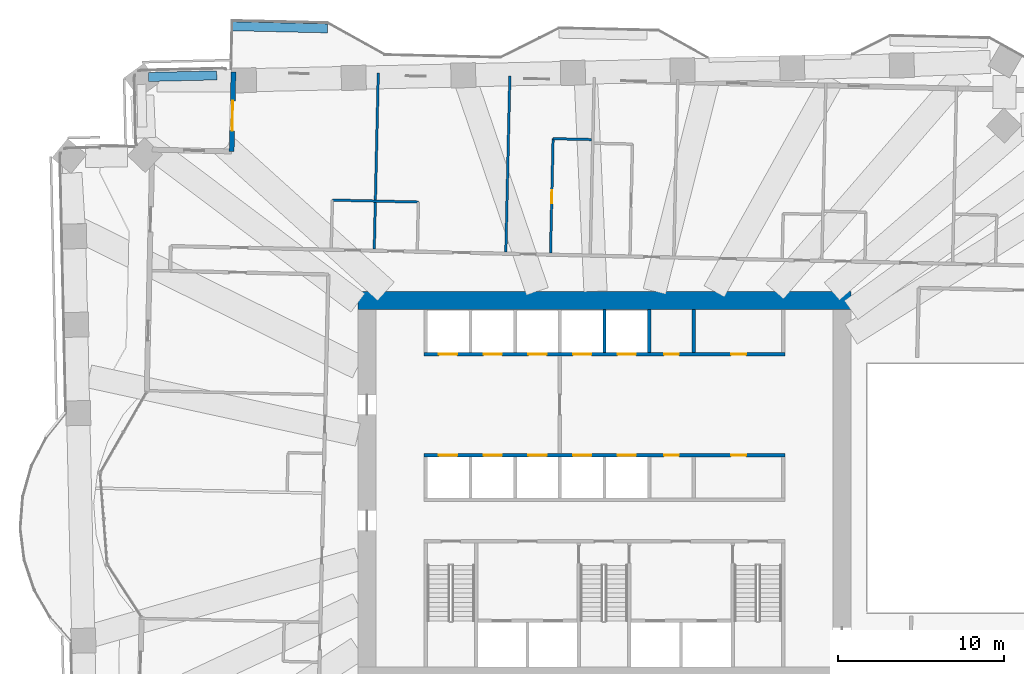
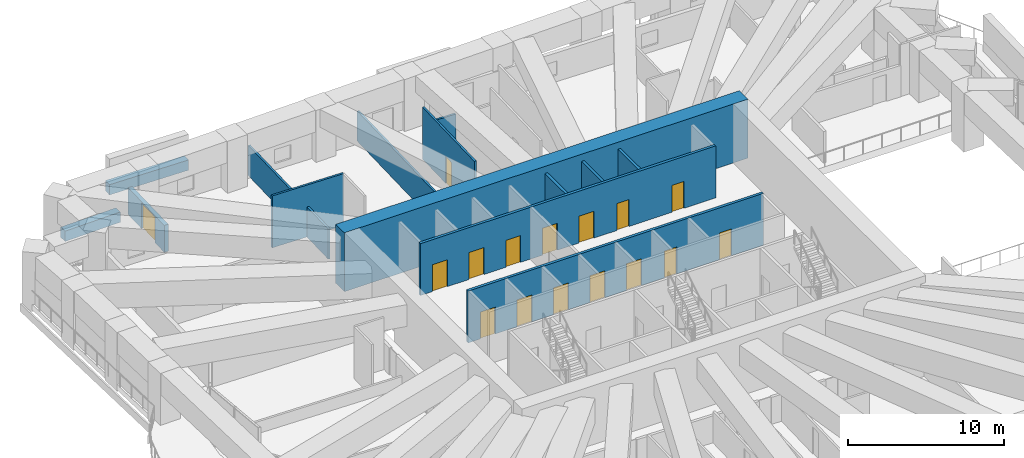
# One storey, part 12 of 20: 16 doors, 14 walls, 16 openings.
"""IFC4 building model written with IfcOpenShell, lengths in metres."""

from ifc_helpers import new_model, si_unit, direction, frame, frame_2d, origin, place, context, subcontext, project, spatial, rectangle, extrude, material, layer, layer_set, type_object, element, fill, save


model = new_model("IFC4")

# Units and contexts
model_context = context("Model", 3, precision=1e-05, world=origin(), true_north=direction((0.0, 1.0)))
body_context = subcontext(model_context, "Body", "Model", "MODEL_VIEW")
ifc_project = project(units=[si_unit("LENGTHUNIT", "METRE"), si_unit("AREAUNIT", "SQUARE_METRE"), si_unit("VOLUMEUNIT", "CUBIC_METRE"), si_unit("PLANEANGLEUNIT", "RADIAN"), si_unit("MASSUNIT", "GRAM", prefix="KILO")], contexts=[model_context])

# Site, building, storey
site_placement = place(None, origin())
site = spatial("IfcSite", under=ifc_project, at=site_placement, CompositionType="ELEMENT")
building_placement = place(site_placement, origin())
building = spatial("IfcBuilding", under=site, at=building_placement, Name="Mangrove Gate Tower", CompositionType="ELEMENT")
storey_placement = place(building_placement, frame((0.0, 0.0, 52.10009765625)))
storey = spatial("IfcBuildingStorey", under=building, at=storey_placement, Name="L12", CompositionType="ELEMENT", Elevation=52.10009765625)

# Wall
ifc_material_1 = material(Name="Concrete C32/40", Category="concrete")
ifc_layer_1 = layer(ifc_material_1, 0.199951171875)
ifc_layer_set_1 = layer_set([ifc_layer_1], Name="Core room wall 200 C32/40")
wall_type_1 = type_object("IfcWallType", Name="Core room wall 200 C32/40", PredefinedType="STANDARD", material=ifc_layer_set_1)
wall_1_placement = place(storey_placement, frame((5.39990234375, 8.199951171875, 0.0), z_axis=(0.0, 0.0, 1.0), x_axis=(0.0, 1.0, 0.0)))
element("IfcWall", 1, at=wall_1_placement, inside=storey, type_object=wall_type_1, Name="WALL-L12-CORE-33", PredefinedType="STANDARD", context=body_context, shape_type="SweptSolid", body=[
    extrude(rectangle(XDim=2.60009765625, YDim=0.199951171875, at=frame_2d((1.300048828125, 0.0))), origin(), (0.0, 0.0, 1.0), 4.0498046875),
])

# Wall, openings, doors
ifc_material_2 = material(Name="Concrete C70/85", Category="concrete")
ifc_layer_2 = layer(ifc_material_2, 0.199951171875)
ifc_layer_set_2 = layer_set([ifc_layer_2], Name="Core shaft wall 200 C70/85")
wall_type_2 = type_object("IfcWallType", Name="Core shaft wall 200 C70/85", PredefinedType="SHEAR", material=ifc_layer_set_2)
wall_2_placement = place(storey_placement, frame((-10.89990234375, 2.0, 0.0), z_axis=(0.0, 0.0, 1.0), x_axis=(1.0, 0.0, 0.0)))
wall_2 = element("IfcWall", 2, at=wall_2_placement, inside=storey, type_object=wall_type_2, Name="WALL-L12-CORE-7", PredefinedType="SHEAR", context=body_context, shape_type="SweptSolid", body=[
    extrude(rectangle(XDim=21.7998046875, YDim=0.199951171875, at=frame_2d((10.89990234375, 0.0))), origin(), (0.0, 0.0, 1.0), 4.0498046875),
])
opening_1_placement = place(wall_2_placement, frame((0.89990234375, 0.0, 0.0)))
opening_1 = element("IfcOpeningElement", 3, at=opening_1_placement, cuts=wall_2, Name="Opening LD", PredefinedType="OPENING", context=body_context, shape_type="SweptSolid", body=[
    extrude(rectangle(XDim=1.10009765625, YDim=2.10009765625, at=frame_2d((0.550048828125, 1.050048828125))), frame((0.0, 0.10986328125, 0.0), z_axis=(0.0, -1.0, 0.0), x_axis=(1.0, 0.0, 0.0)), (0.0, 0.0, 1.0), 0.219970703125),
])
opening_2_placement = place(wall_2_placement, frame((3.60009765625, 0.0, 0.0)))
opening_2 = element("IfcOpeningElement", 4, at=opening_2_placement, cuts=wall_2, Name="Opening LD", PredefinedType="OPENING", context=body_context, shape_type="SweptSolid", body=[
    extrude(rectangle(XDim=1.10009765625, YDim=2.10009765625, at=frame_2d((0.550048828125, 1.050048828125))), frame((0.0, 0.10986328125, 0.0), z_axis=(0.0, -1.0, 0.0), x_axis=(1.0, 0.0, 0.0)), (0.0, 0.0, 1.0), 0.219970703125),
])
opening_3_placement = place(wall_2_placement, frame((6.300048828125, 0.0, 0.0)))
opening_3 = element("IfcOpeningElement", 5, at=opening_3_placement, cuts=wall_2, Name="Opening LD", PredefinedType="OPENING", context=body_context, shape_type="SweptSolid", body=[
    extrude(rectangle(XDim=1.10009765625, YDim=2.10009765625, at=frame_2d((0.550048828125, 1.050048828125))), frame((0.0, 0.10986328125, 0.0), z_axis=(0.0, -1.0, 0.0), x_axis=(1.0, 0.0, 0.0)), (0.0, 0.0, 1.0), 0.219970703125),
])
opening_4_placement = place(wall_2_placement, frame((9.0, 0.0, 0.0)))
opening_4 = element("IfcOpeningElement", 6, at=opening_4_placement, cuts=wall_2, Name="Opening LD", PredefinedType="OPENING", context=body_context, shape_type="SweptSolid", body=[
    extrude(rectangle(XDim=1.10009765625, YDim=2.10009765625, at=frame_2d((0.550048828125, 1.050048828125))), frame((0.0, 0.10986328125, 0.0), z_axis=(0.0, -1.0, 0.0), x_axis=(1.0, 0.0, 0.0)), (0.0, 0.0, 1.0), 0.219970703125),
])
opening_5_placement = place(wall_2_placement, frame((11.699951171875, 0.0, 0.0)))
opening_5 = element("IfcOpeningElement", 7, at=opening_5_placement, cuts=wall_2, Name="Opening LD", PredefinedType="OPENING", context=body_context, shape_type="SweptSolid", body=[
    extrude(rectangle(XDim=1.10009765625, YDim=2.10009765625, at=frame_2d((0.550048828125, 1.050048828125))), frame((0.0, 0.10986328125, 0.0), z_axis=(0.0, -1.0, 0.0), x_axis=(1.0, 0.0, 0.0)), (0.0, 0.0, 1.0), 0.219970703125),
])
opening_6_placement = place(wall_2_placement, frame((14.5, 0.0, 0.0)))
opening_6 = element("IfcOpeningElement", 8, at=opening_6_placement, cuts=wall_2, Name="Opening RD", PredefinedType="OPENING", context=body_context, shape_type="SweptSolid", body=[
    extrude(rectangle(XDim=0.89990234375, YDim=2.10009765625, at=frame_2d((0.449951171875, 1.050048828125))), frame((0.0, 0.10986328125, 0.0), z_axis=(0.0, -1.0, 0.0), x_axis=(1.0, 0.0, 0.0)), (0.0, 0.0, 1.0), 0.219970703125),
])
opening_7_placement = place(wall_2_placement, frame((18.550048828125, 0.0, 0.0)))
opening_7 = element("IfcOpeningElement", 9, at=opening_7_placement, cuts=wall_2, Name="Opening KD", PredefinedType="OPENING", context=body_context, shape_type="SweptSolid", body=[
    extrude(rectangle(XDim=0.89990234375, YDim=2.10009765625, at=frame_2d((0.449951171875, 1.050048828125))), frame((0.0, 0.10986328125, 0.0), z_axis=(0.0, -1.0, 0.0), x_axis=(1.0, 0.0, 0.0)), (0.0, 0.0, 1.0), 0.219970703125),
])
ifc_material_3 = material(Name="Fire-rated steel door set", Category="steel")
door_type_1 = type_object("IfcDoorType", Name="Core room door FD30S 900x2100", OperationType="SINGLE_SWING_RIGHT", PredefinedType="DOOR", material=ifc_material_3)
door_1_placement = place(opening_7_placement, origin())
door_1 = element("IfcDoor", 10, at=door_1_placement, inside=storey, type_object=door_type_1, Name="Core room door Core WC", OperationType="SINGLE_SWING_RIGHT", OverallHeight=2.10009765625, OverallWidth=0.89990234375, PredefinedType="DOOR", context=body_context, shape_type="SweptSolid", body=[
    extrude(rectangle(XDim=0.89990234375, YDim=2.10009765625, at=frame_2d((0.449951171875, 1.050048828125))), frame((0.0, 0.02490234375, 0.0), z_axis=(0.0, -1.0, 0.0), x_axis=(1.0, 0.0, 0.0)), (0.0, 0.0, 1.0), 0.050048828125),
])
fill(opening_7, door_1)
ifc_material_4 = material(Name="Stainless steel 316", Category="steel")
door_type_2 = type_object("IfcDoorType", Name="Lift landing door 1100x2100", OperationType="SLIDING_TO_LEFT", PredefinedType="DOOR", material=ifc_material_4)
door_2_placement = place(opening_1_placement, origin())
door_2 = element("IfcDoor", 11, at=door_2_placement, inside=storey, type_object=door_type_2, Name="Landing door LD P01", OperationType="SLIDING_TO_LEFT", OverallHeight=2.10009765625, OverallWidth=1.10009765625, PredefinedType="DOOR", context=body_context, shape_type="SweptSolid", body=[
    extrude(rectangle(XDim=1.10009765625, YDim=2.10009765625, at=frame_2d((0.550048828125, 1.050048828125))), frame((0.0, 0.02490234375, 0.0), z_axis=(0.0, -1.0, 0.0), x_axis=(1.0, 0.0, 0.0)), (0.0, 0.0, 1.0), 0.050048828125),
])
fill(opening_1, door_2)
door_3_placement = place(opening_2_placement, origin())
door_3 = element("IfcDoor", 12, at=door_3_placement, inside=storey, type_object=door_type_2, Name="Landing door LD P02", OperationType="SLIDING_TO_LEFT", OverallHeight=2.10009765625, OverallWidth=1.10009765625, PredefinedType="DOOR", context=body_context, shape_type="SweptSolid", body=[
    extrude(rectangle(XDim=1.10009765625, YDim=2.10009765625, at=frame_2d((0.550048828125, 1.050048828125))), frame((0.0, 0.02490234375, 0.0), z_axis=(0.0, -1.0, 0.0), x_axis=(1.0, 0.0, 0.0)), (0.0, 0.0, 1.0), 0.050048828125),
])
fill(opening_2, door_3)
door_4_placement = place(opening_3_placement, origin())
door_4 = element("IfcDoor", 13, at=door_4_placement, inside=storey, type_object=door_type_2, Name="Landing door LD P03", OperationType="SLIDING_TO_LEFT", OverallHeight=2.10009765625, OverallWidth=1.10009765625, PredefinedType="DOOR", context=body_context, shape_type="SweptSolid", body=[
    extrude(rectangle(XDim=1.10009765625, YDim=2.10009765625, at=frame_2d((0.550048828125, 1.050048828125))), frame((0.0, 0.02490234375, 0.0), z_axis=(0.0, -1.0, 0.0), x_axis=(1.0, 0.0, 0.0)), (0.0, 0.0, 1.0), 0.050048828125),
])
fill(opening_3, door_4)
door_5_placement = place(opening_4_placement, origin())
door_5 = element("IfcDoor", 14, at=door_5_placement, inside=storey, type_object=door_type_2, Name="Landing door LD P04", OperationType="SLIDING_TO_LEFT", OverallHeight=2.10009765625, OverallWidth=1.10009765625, PredefinedType="DOOR", context=body_context, shape_type="SweptSolid", body=[
    extrude(rectangle(XDim=1.10009765625, YDim=2.10009765625, at=frame_2d((0.550048828125, 1.050048828125))), frame((0.0, 0.02490234375, 0.0), z_axis=(0.0, -1.0, 0.0), x_axis=(1.0, 0.0, 0.0)), (0.0, 0.0, 1.0), 0.050048828125),
])
fill(opening_4, door_5)
door_6_placement = place(opening_5_placement, origin())
door_6 = element("IfcDoor", 15, at=door_6_placement, inside=storey, type_object=door_type_2, Name="Landing door LD P05", OperationType="SLIDING_TO_LEFT", OverallHeight=2.10009765625, OverallWidth=1.10009765625, PredefinedType="DOOR", context=body_context, shape_type="SweptSolid", body=[
    extrude(rectangle(XDim=1.10009765625, YDim=2.10009765625, at=frame_2d((0.550048828125, 1.050048828125))), frame((0.0, 0.02490234375, 0.0), z_axis=(0.0, -1.0, 0.0), x_axis=(1.0, 0.0, 0.0)), (0.0, 0.0, 1.0), 0.050048828125),
])
fill(opening_5, door_6)
ifc_material_5 = material(Name="Fire-rated steel door set", Category="steel")
door_type_3 = type_object("IfcDoorType", Name="Riser door FD30S 900x2100", OperationType="SINGLE_SWING_LEFT", PredefinedType="DOOR", material=ifc_material_5)
door_7_placement = place(opening_6_placement, origin())
door_7 = element("IfcDoor", 16, at=door_7_placement, inside=storey, type_object=door_type_3, Name="Riser door Comms room", OperationType="SINGLE_SWING_LEFT", OverallHeight=2.10009765625, OverallWidth=0.89990234375, PredefinedType="DOOR", context=body_context, shape_type="SweptSolid", body=[
    extrude(rectangle(XDim=0.89990234375, YDim=2.10009765625, at=frame_2d((0.449951171875, 1.050048828125))), frame((0.0, 0.02490234375, 0.0), z_axis=(0.0, -1.0, 0.0), x_axis=(1.0, 0.0, 0.0)), (0.0, 0.0, 1.0), 0.050048828125),
])
fill(opening_6, door_7)

wall_3_placement = place(storey_placement, frame((-10.89990234375, 8.10009765625, 0.0), z_axis=(0.0, 0.0, 1.0), x_axis=(1.0, 0.0, 0.0)))
wall_3 = element("IfcWall", 17, at=wall_3_placement, inside=storey, type_object=wall_type_2, Name="WALL-L12-CORE-8", PredefinedType="SHEAR", context=body_context, shape_type="SweptSolid", body=[
    extrude(rectangle(XDim=21.7998046875, YDim=0.199951171875, at=frame_2d((10.89990234375, 0.0))), origin(), (0.0, 0.0, 1.0), 4.0498046875),
])
opening_8_placement = place(wall_3_placement, frame((0.89990234375, 0.0, 0.0)))
opening_8 = element("IfcOpeningElement", 18, at=opening_8_placement, cuts=wall_3, Name="Opening LD", PredefinedType="OPENING", context=body_context, shape_type="SweptSolid", body=[
    extrude(rectangle(XDim=1.10009765625, YDim=2.10009765625, at=frame_2d((0.550048828125, 1.050048828125))), frame((0.0, 0.10986328125, 0.0), z_axis=(0.0, -1.0, 0.0), x_axis=(1.0, 0.0, 0.0)), (0.0, 0.0, 1.0), 0.219970703125),
])
opening_9_placement = place(wall_3_placement, frame((3.60009765625, 0.0, 0.0)))
opening_9 = element("IfcOpeningElement", 19, at=opening_9_placement, cuts=wall_3, Name="Opening LD", PredefinedType="OPENING", context=body_context, shape_type="SweptSolid", body=[
    extrude(rectangle(XDim=1.10009765625, YDim=2.10009765625, at=frame_2d((0.550048828125, 1.050048828125))), frame((0.0, 0.10986328125, 0.0), z_axis=(0.0, -1.0, 0.0), x_axis=(1.0, 0.0, 0.0)), (0.0, 0.0, 1.0), 0.219970703125),
])
opening_10_placement = place(wall_3_placement, frame((6.300048828125, 0.0, 0.0)))
opening_10 = element("IfcOpeningElement", 20, at=opening_10_placement, cuts=wall_3, Name="Opening LD", PredefinedType="OPENING", context=body_context, shape_type="SweptSolid", body=[
    extrude(rectangle(XDim=1.10009765625, YDim=2.10009765625, at=frame_2d((0.550048828125, 1.050048828125))), frame((0.0, 0.10986328125, 0.0), z_axis=(0.0, -1.0, 0.0), x_axis=(1.0, 0.0, 0.0)), (0.0, 0.0, 1.0), 0.219970703125),
])
opening_11_placement = place(wall_3_placement, frame((9.0, 0.0, 0.0)))
opening_11 = element("IfcOpeningElement", 21, at=opening_11_placement, cuts=wall_3, Name="Opening LD", PredefinedType="OPENING", context=body_context, shape_type="SweptSolid", body=[
    extrude(rectangle(XDim=1.10009765625, YDim=2.10009765625, at=frame_2d((0.550048828125, 1.050048828125))), frame((0.0, 0.10986328125, 0.0), z_axis=(0.0, -1.0, 0.0), x_axis=(1.0, 0.0, 0.0)), (0.0, 0.0, 1.0), 0.219970703125),
])
opening_12_placement = place(wall_3_placement, frame((11.699951171875, 0.0, 0.0)))
opening_12 = element("IfcOpeningElement", 22, at=opening_12_placement, cuts=wall_3, Name="Opening LD", PredefinedType="OPENING", context=body_context, shape_type="SweptSolid", body=[
    extrude(rectangle(XDim=1.10009765625, YDim=2.10009765625, at=frame_2d((0.550048828125, 1.050048828125))), frame((0.0, 0.10986328125, 0.0), z_axis=(0.0, -1.0, 0.0), x_axis=(1.0, 0.0, 0.0)), (0.0, 0.0, 1.0), 0.219970703125),
])
opening_13_placement = place(wall_3_placement, frame((14.5, 0.0, 0.0)))
opening_13 = element("IfcOpeningElement", 23, at=opening_13_placement, cuts=wall_3, Name="Opening KD", PredefinedType="OPENING", context=body_context, shape_type="SweptSolid", body=[
    extrude(rectangle(XDim=0.89990234375, YDim=2.10009765625, at=frame_2d((0.449951171875, 1.050048828125))), frame((0.0, 0.10986328125, 0.0), z_axis=(0.0, -1.0, 0.0), x_axis=(1.0, 0.0, 0.0)), (0.0, 0.0, 1.0), 0.219970703125),
])
opening_14_placement = place(wall_3_placement, frame((18.550048828125, 0.0, 0.0)))
opening_14 = element("IfcOpeningElement", 24, at=opening_14_placement, cuts=wall_3, Name="Opening KD", PredefinedType="OPENING", context=body_context, shape_type="SweptSolid", body=[
    extrude(rectangle(XDim=0.89990234375, YDim=2.10009765625, at=frame_2d((0.449951171875, 1.050048828125))), frame((0.0, 0.10986328125, 0.0), z_axis=(0.0, -1.0, 0.0), x_axis=(1.0, 0.0, 0.0)), (0.0, 0.0, 1.0), 0.219970703125),
])
door_8_placement = place(opening_13_placement, origin())
door_8 = element("IfcDoor", 25, at=door_8_placement, inside=storey, type_object=door_type_1, Name="Core room door Pantry store", OperationType="SINGLE_SWING_RIGHT", OverallHeight=2.10009765625, OverallWidth=0.89990234375, PredefinedType="DOOR", context=body_context, shape_type="SweptSolid", body=[
    extrude(rectangle(XDim=0.89990234375, YDim=2.10009765625, at=frame_2d((0.449951171875, 1.050048828125))), frame((0.0, 0.02490234375, 0.0), z_axis=(0.0, -1.0, 0.0), x_axis=(1.0, 0.0, 0.0)), (0.0, 0.0, 1.0), 0.050048828125),
])
fill(opening_13, door_8)
door_9_placement = place(opening_14_placement, origin())
door_9 = element("IfcDoor", 26, at=door_9_placement, inside=storey, type_object=door_type_1, Name="Core room door Cleaner's store", OperationType="SINGLE_SWING_RIGHT", OverallHeight=2.10009765625, OverallWidth=0.89990234375, PredefinedType="DOOR", context=body_context, shape_type="SweptSolid", body=[
    extrude(rectangle(XDim=0.89990234375, YDim=2.10009765625, at=frame_2d((0.449951171875, 1.050048828125))), frame((0.0, 0.02490234375, 0.0), z_axis=(0.0, -1.0, 0.0), x_axis=(1.0, 0.0, 0.0)), (0.0, 0.0, 1.0), 0.050048828125),
])
fill(opening_14, door_9)
door_10_placement = place(opening_8_placement, origin())
door_10 = element("IfcDoor", 27, at=door_10_placement, inside=storey, type_object=door_type_2, Name="Landing door LD P06", OperationType="SLIDING_TO_LEFT", OverallHeight=2.10009765625, OverallWidth=1.10009765625, PredefinedType="DOOR", context=body_context, shape_type="SweptSolid", body=[
    extrude(rectangle(XDim=1.10009765625, YDim=2.10009765625, at=frame_2d((0.550048828125, 1.050048828125))), frame((0.0, 0.02490234375, 0.0), z_axis=(0.0, -1.0, 0.0), x_axis=(1.0, 0.0, 0.0)), (0.0, 0.0, 1.0), 0.050048828125),
])
fill(opening_8, door_10)
door_11_placement = place(opening_9_placement, origin())
door_11 = element("IfcDoor", 28, at=door_11_placement, inside=storey, type_object=door_type_2, Name="Landing door LD P07", OperationType="SLIDING_TO_LEFT", OverallHeight=2.10009765625, OverallWidth=1.10009765625, PredefinedType="DOOR", context=body_context, shape_type="SweptSolid", body=[
    extrude(rectangle(XDim=1.10009765625, YDim=2.10009765625, at=frame_2d((0.550048828125, 1.050048828125))), frame((0.0, 0.02490234375, 0.0), z_axis=(0.0, -1.0, 0.0), x_axis=(1.0, 0.0, 0.0)), (0.0, 0.0, 1.0), 0.050048828125),
])
fill(opening_9, door_11)
door_12_placement = place(opening_10_placement, origin())
door_12 = element("IfcDoor", 29, at=door_12_placement, inside=storey, type_object=door_type_2, Name="Landing door LD P08", OperationType="SLIDING_TO_LEFT", OverallHeight=2.10009765625, OverallWidth=1.10009765625, PredefinedType="DOOR", context=body_context, shape_type="SweptSolid", body=[
    extrude(rectangle(XDim=1.10009765625, YDim=2.10009765625, at=frame_2d((0.550048828125, 1.050048828125))), frame((0.0, 0.02490234375, 0.0), z_axis=(0.0, -1.0, 0.0), x_axis=(1.0, 0.0, 0.0)), (0.0, 0.0, 1.0), 0.050048828125),
])
fill(opening_10, door_12)
door_13_placement = place(opening_11_placement, origin())
door_13 = element("IfcDoor", 30, at=door_13_placement, inside=storey, type_object=door_type_2, Name="Landing door LD P09", OperationType="SLIDING_TO_LEFT", OverallHeight=2.10009765625, OverallWidth=1.10009765625, PredefinedType="DOOR", context=body_context, shape_type="SweptSolid", body=[
    extrude(rectangle(XDim=1.10009765625, YDim=2.10009765625, at=frame_2d((0.550048828125, 1.050048828125))), frame((0.0, 0.02490234375, 0.0), z_axis=(0.0, -1.0, 0.0), x_axis=(1.0, 0.0, 0.0)), (0.0, 0.0, 1.0), 0.050048828125),
])
fill(opening_11, door_13)
door_14_placement = place(opening_12_placement, origin())
door_14 = element("IfcDoor", 31, at=door_14_placement, inside=storey, type_object=door_type_2, Name="Landing door LD P10", OperationType="SLIDING_TO_LEFT", OverallHeight=2.10009765625, OverallWidth=1.10009765625, PredefinedType="DOOR", context=body_context, shape_type="SweptSolid", body=[
    extrude(rectangle(XDim=1.10009765625, YDim=2.10009765625, at=frame_2d((0.550048828125, 1.050048828125))), frame((0.0, 0.02490234375, 0.0), z_axis=(0.0, -1.0, 0.0), x_axis=(1.0, 0.0, 0.0)), (0.0, 0.0, 1.0), 0.050048828125),
])
fill(opening_12, door_14)

# Walls
for number, where, z_axis, x_axis, name in (
    (32, (0.0, 8.199951171875, 0.0), (0.0, 0.0, 1.0), (0.0, 1.0, 0.0), "WALL-L12-CORE-31"),
    (33, (2.699951171875, 8.199951171875, 0.0), (0.0, 0.0, 1.0), (0.0, 1.0, 0.0), "WALL-L12-CORE-32"),
):
    element("IfcWall", number, at=place(storey_placement, frame(where, z_axis=z_axis, x_axis=x_axis)), inside=storey, type_object=wall_type_2, Name=name, PredefinedType="SHEAR", context=body_context, shape_type="SweptSolid", body=[
        extrude(rectangle(XDim=2.60009765625, YDim=0.199951171875, at=frame_2d((1.300048828125, 0.0))), origin(), (0.0, 0.0, 1.0), 4.0498046875),
    ])
ifc_material_6 = material(Name="Concrete C70/85", Category="concrete")
ifc_layer_3 = layer(ifc_material_6, 1.10009765625)
ifc_layer_set_3 = layer_set([ifc_layer_3], Name="Core wall 1100 C70/85")
wall_type_3 = type_object("IfcWallType", Name="Core wall 1100 C70/85", PredefinedType="SHEAR", material=ifc_layer_set_3)
wall_4_placement = place(storey_placement, frame((-14.89990234375, 11.35009765625, 0.0), z_axis=(0.0, 0.0, 1.0), x_axis=(1.0, 0.0, 0.0)))
element("IfcWall", 34, at=wall_4_placement, inside=storey, type_object=wall_type_3, Name="WALL-L12-CORE-2", PredefinedType="SHEAR", context=body_context, shape_type="SweptSolid", body=[
    extrude(rectangle(XDim=29.7998046875, YDim=1.10009765625, at=frame_2d((14.89990234375, 0.0))), origin(), (0.0, 0.0, 1.0), 4.599853515625),
])

# Wall, opening, door
ifc_material_7 = material(Name="Limestone", Category="masonry")
ifc_layer_4 = layer(ifc_material_7, 0.0400390625, Name="Limestone cladding")
ifc_material_8 = material(Name="Ventilated air gap")
ifc_layer_5 = layer(ifc_material_8, 0.0400390625, Name="Ventilated cavity")
ifc_material_9 = material(Name="Mineral wool insulation")
ifc_layer_6 = layer(ifc_material_9, 0.06005859375, Name="Insulation")
ifc_material_10 = material(Name="Breather membrane")
ifc_layer_7 = layer(ifc_material_10, 0.001953125, Name="Breather membrane")
ifc_material_11 = material(Name="Concrete C20/25 blockwork", Category="masonry")
ifc_layer_8 = layer(ifc_material_11, 0.14990234375, Name="Blockwork backing wall")
ifc_material_12 = material(Name="Gypsum plaster")
ifc_layer_9 = layer(ifc_material_12, 0.008056640625, Name="Internal plaster")
ifc_layer_set_4 = layer_set([ifc_layer_4, ifc_layer_5, ifc_layer_6, ifc_layer_7, ifc_layer_8, ifc_layer_9], Name="External wall 300 limestone cladding")
wall_type_4 = type_object("IfcWallType", Name="External wall 300 limestone cladding", PredefinedType="SOLIDWALL", material=ifc_layer_set_4)
wall_5_placement = place(storey_placement, frame((-22.416015625, 25.152099609375, 0.0), z_axis=(0.0, 0.0, 1.0), x_axis=(-0.022683280499, -0.999742701292, 0.0)))
wall_5 = element("IfcWall", 35, at=wall_5_placement, inside=storey, type_object=wall_type_4, Name="WALL-L12-W6", PredefinedType="SOLIDWALL", context=body_context, shape_type="SweptSolid", body=[
    extrude(rectangle(XDim=4.80029296875, YDim=0.300048828125, at=frame_2d((2.400146484375, 0.0))), origin(), (0.0, 0.0, 1.0), 2.099853515625),
])
opening_15_placement = place(wall_5_placement, frame((1.75, 0.0, 0.0)))
opening_15 = element("IfcOpeningElement", 36, at=opening_15_placement, cuts=wall_5, Name="Opening TD2", PredefinedType="OPENING", context=body_context, shape_type="SweptSolid", body=[
    extrude(rectangle(XDim=1.800048828125, YDim=2.0, at=frame_2d((0.89990234375, 1.0))), frame((0.0, 0.159912109375, 0.0), z_axis=(0.0, -1.0, 0.0), x_axis=(1.0, 0.0, 0.0)), (0.0, 0.0, 1.0), 0.320068359375),
])
ifc_material_13 = material(Name="Aluminium frame with laminated clear glass", Category="aluminium")
door_type_4 = type_object("IfcDoorType", Name="Terrace door 1800x2000", OperationType="DOUBLE_DOOR_SINGLE_SWING", PredefinedType="DOOR", material=ifc_material_13)
door_15_placement = place(opening_15_placement, origin())
door_15 = element("IfcDoor", 37, at=door_15_placement, inside=storey, type_object=door_type_4, Name="DOOR-L12-W6-1", OperationType="DOUBLE_DOOR_SINGLE_SWING", OverallHeight=2.0, OverallWidth=1.800048828125, PredefinedType="DOOR", context=body_context, shape_type="SweptSolid", body=[
    extrude(rectangle(XDim=1.800048828125, YDim=2.0, at=frame_2d((0.89990234375, 1.0))), frame((0.0, 0.02490234375, 0.0), z_axis=(0.0, -1.0, 0.0), x_axis=(1.0, 0.0, 0.0)), (0.0, 0.0, 1.0), 0.050048828125),
])
fill(opening_15, door_15)

# Walls
ifc_material_14 = material(Name="Gypsum board on steel stud, EI 60", Category="steel")
ifc_layer_10 = layer(ifc_material_14, 0.14990234375)
ifc_layer_set_5 = layer_set([ifc_layer_10], Name="Party wall 150 EI 60")
wall_type_5 = type_object("IfcWallType", Name="Party wall 150 EI 60", PredefinedType="PARTITIONING", material=ifc_layer_set_5)
wall_6_placement = place(storey_placement, frame((-13.908935546875, 14.4560546875, 0.0), z_axis=(0.0, 0.0, 1.0), x_axis=(0.022718280885, 0.999741906551, 0.0)))
element("IfcWall", 38, at=wall_6_placement, inside=storey, type_object=wall_type_5, Name="WALL-L12-046", PredefinedType="PARTITIONING", context=body_context, shape_type="SweptSolid", body=[
    extrude(rectangle(XDim=10.649658203125, YDim=0.14990234375, at=frame_2d((5.32470703125, 0.0))), origin(), (0.0, 0.0, 1.0), 2.349853515625),
])
wall_7_placement = place(storey_placement, frame((-5.9609375, 14.27587890625, 0.0), z_axis=(0.0, 0.0, 1.0), x_axis=(0.022717760224, 0.999741918382, 0.0)))
element("IfcWall", 39, at=wall_7_placement, inside=storey, type_object=wall_type_5, Name="WALL-L12-048", PredefinedType="PARTITIONING", context=body_context, shape_type="SweptSolid", body=[
    extrude(rectangle(XDim=10.64990234375, YDim=0.14990234375, at=frame_2d((5.324951171875, 0.0))), origin(), (0.0, 0.0, 1.0), 2.349853515625),
])

# Wall, opening, door
wall_8_placement = place(storey_placement, frame((-3.260986328125, 14.214111328125, 0.0), z_axis=(0.0, 0.0, 1.0), x_axis=(0.022574548881, 0.9997451624, 0.0)))
wall_8 = element("IfcWall", 40, at=wall_8_placement, inside=storey, type_object=wall_type_5, Name="WALL-L12-049", PredefinedType="PARTITIONING", context=body_context, shape_type="SweptSolid", body=[
    extrude(rectangle(XDim=6.91064453125, YDim=0.14990234375, at=frame_2d((3.455322265625, 0.0))), origin(), (0.0, 0.0, 1.0), 4.0498046875),
])
opening_16_placement = place(wall_8_placement, frame((3.0048828125, 0.0, 0.0)))
opening_16 = element("IfcOpeningElement", 41, at=opening_16_placement, cuts=wall_8, Name="Opening ED", PredefinedType="OPENING", context=body_context, shape_type="SweptSolid", body=[
    extrude(rectangle(XDim=0.800048828125, YDim=2.10009765625, at=frame_2d((0.39990234375, 1.050048828125))), frame((0.0, 0.0849609375, 0.0), z_axis=(0.0, -1.0, 0.0), x_axis=(1.0, 0.0, 0.0)), (0.0, 0.0, 1.0), 0.169921875),
])
ifc_material_15 = material(Name="Timber door leaf", Category="wood")
door_type_5 = type_object("IfcDoorType", Name="En-suite door 800", OperationType="SINGLE_SWING_LEFT", PredefinedType="DOOR", material=ifc_material_15)
door_16_placement = place(opening_16_placement, origin())
door_16 = element("IfcDoor", 42, at=door_16_placement, inside=storey, type_object=door_type_5, Name="DOOR-L12-ENS-c505", OperationType="SINGLE_SWING_LEFT", OverallHeight=2.10009765625, OverallWidth=0.800048828125, PredefinedType="DOOR", context=body_context, shape_type="SweptSolid", body=[
    extrude(rectangle(XDim=0.800048828125, YDim=2.10009765625, at=frame_2d((0.39990234375, 1.050048828125))), frame((0.0, 0.02490234375, 0.0), z_axis=(0.0, -1.0, 0.0), x_axis=(1.0, 0.0, 0.0)), (0.0, 0.0, 1.0), 0.050048828125),
])
fill(opening_16, door_16)

# Walls
wall_9_placement = place(storey_placement, frame((-16.43994140625, 17.4140625, 0.0), z_axis=(0.0, 0.0, 1.0), x_axis=(0.999741811307, -0.022722471786, 0.0)))
element("IfcWall", 43, at=wall_9_placement, inside=storey, type_object=wall_type_5, Name="WALL-L12-059", PredefinedType="PARTITIONING", context=body_context, shape_type="SweptSolid", body=[
    extrude(rectangle(XDim=5.2001953125, YDim=0.14990234375, at=frame_2d((2.60009765625, 0.0))), origin(), (0.0, 0.0, 1.0), 4.0498046875),
])
wall_10_placement = place(storey_placement, frame((-3.10302734375, 21.123046875, 0.0), z_axis=(0.0, 0.0, 1.0), x_axis=(0.999740478815, -0.022781023197, 0.0)))
element("IfcWall", 44, at=wall_10_placement, inside=storey, type_object=wall_type_5, Name="WALL-L12-063", PredefinedType="PARTITIONING", context=body_context, shape_type="SweptSolid", body=[
    extrude(rectangle(XDim=2.325439453125, YDim=0.14990234375, at=frame_2d((1.16259765625, 0.0))), origin(), (0.0, 0.0, 1.0), 2.75),
])
ifc_material_16 = material(Name="Concrete C32/40", Category="concrete")
ifc_layer_11 = layer(ifc_material_16, 0.199951171875, Name="Planter trough wall")
ifc_material_17 = material(Name="Bituminous waterproofing membrane")
ifc_layer_12 = layer(ifc_material_17, 0.0048828125, Name="Waterproofing")
ifc_material_18 = material(Name="Drainage board and gravel")
ifc_layer_13 = layer(ifc_material_18, 0.044921875, Name="Drainage layer")
ifc_material_19 = material(Name="Planting soil")
ifc_layer_14 = layer(ifc_material_19, 0.300048828125, Name="Growing medium")
ifc_layer_set_6 = layer_set([ifc_layer_11, ifc_layer_12, ifc_layer_13, ifc_layer_14], Name="Planter wall 550 C32/40")
wall_type_6 = type_object("IfcWallType", Name="Planter wall 550 C32/40", PredefinedType="USERDEFINED", material=ifc_layer_set_6)
wall_11_placement = place(storey_placement, frame((-22.5029296875, 27.9189453125, 0.0), z_axis=(0.0, 0.0, 1.0), x_axis=(0.999746382879, -0.022520433404, 0.0)))
element("IfcWall", 45, at=wall_11_placement, inside=storey, type_object=wall_type_6, Name="PLANTER L12 N1.1", ObjectType="PLANTER", PredefinedType="USERDEFINED", context=body_context, shape_type="SweptSolid", body=[
    extrude(rectangle(XDim=5.767333984375, YDim=0.550048828125, at=frame_2d((2.8837890625, 0.0))), origin(), (0.0, 0.0, 1.0), 0.7998046875),
])
wall_12_placement = place(storey_placement, frame((-27.55810546875, 24.85302734375, 0.0), z_axis=(0.0, 0.0, 1.0), x_axis=(0.99974150007, 0.02273616147, 0.0)))
element("IfcWall", 46, at=wall_12_placement, inside=storey, type_object=wall_type_6, Name="PLANTER L12 T3.2.6", ObjectType="PLANTER", PredefinedType="USERDEFINED", context=body_context, shape_type="SweptSolid", body=[
    extrude(rectangle(XDim=4.134033203125, YDim=0.550048828125, at=frame_2d((2.06689453125, 0.0))), origin(), (0.0, 0.0, 1.0), 0.7998046875),
])

save(model, "model.ifc")
